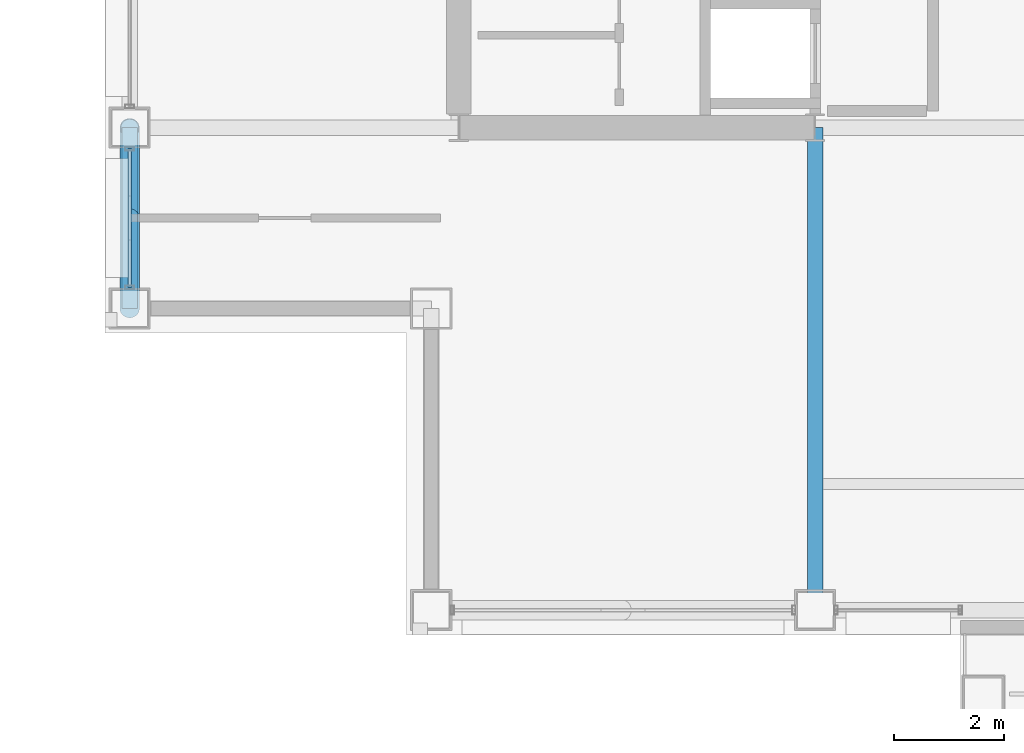
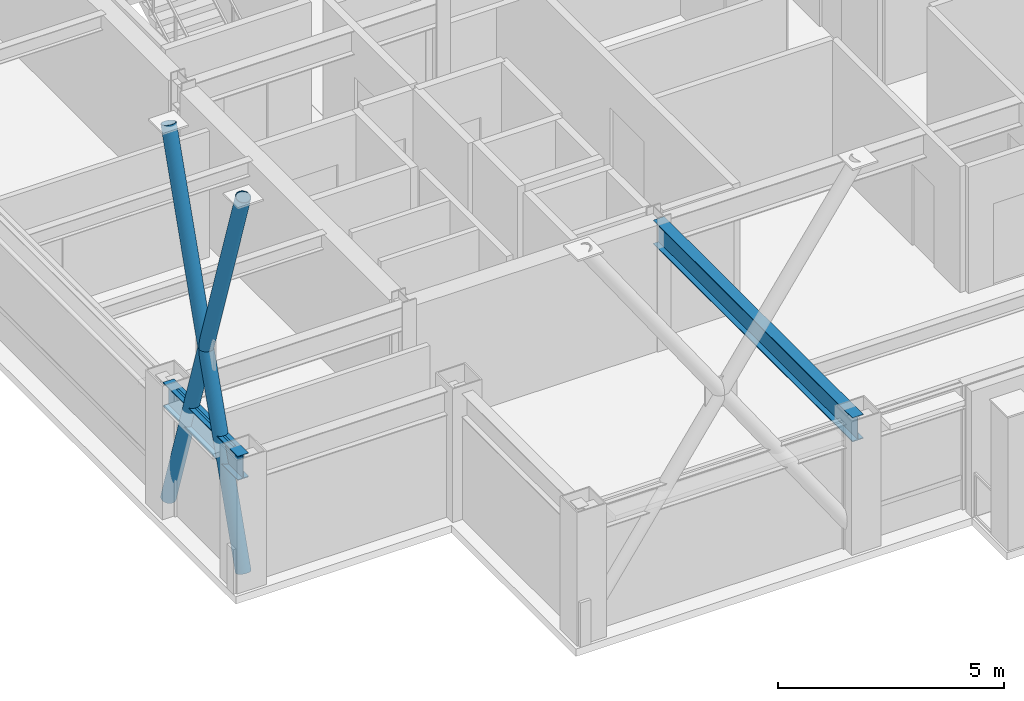
# One storey, part 4 of 30: 4 members, 2 beams, 1 element without a shape of its own.
"""IFC4 building model written with IfcOpenShell, lengths in metres."""

from ifc_helpers import new_model, si_unit, direction, frame, origin, origin_2d, place, context, subcontext, project, spatial, hollow_rectangle, hollow_circle, i_section, extrude, material, layer, layer_set, material_profile, profile_set, type_object, element, aggregate, save


model = new_model("IFC4")

# Units and contexts
model_context = context("Model", 3, precision=1e-05, world=origin(), true_north=direction((0.0, 1.0)))
body_context = subcontext(model_context, "Body", "Model", "MODEL_VIEW")
ifc_project = project(units=[si_unit("LENGTHUNIT", "METRE"), si_unit("AREAUNIT", "SQUARE_METRE"), si_unit("VOLUMEUNIT", "CUBIC_METRE"), si_unit("PLANEANGLEUNIT", "RADIAN"), si_unit("MASSUNIT", "GRAM", prefix="KILO")], contexts=[model_context])

# Site, building, storey
site_placement = place(None, origin())
site = spatial("IfcSite", under=ifc_project, at=site_placement, CompositionType="ELEMENT")
building_placement = place(site_placement, origin())
building = spatial("IfcBuilding", under=site, at=building_placement, Name="Brelmoor Portico Tower", CompositionType="ELEMENT")
storey_placement = place(building_placement, frame((0.0, 0.0, 173.10009765625)))
storey = spatial("IfcBuildingStorey", under=building, at=storey_placement, Name="L45", CompositionType="ELEMENT", Elevation=173.10009765625)

# Beams
ifc_material_1 = material(Name="Steel Q355B", Category="steel")
ifc_material_profile_1 = material_profile(ifc_material_1, i_section(OverallWidth=0.280029296875, OverallDepth=0.64990234375, WebThickness=0.012939453125, FlangeThickness=0.02197265625, at=origin_2d()), Name="HN 650x280x13x22")
ifc_profile_set_1 = profile_set([ifc_material_profile_1], Name="Steel Q355B")
beam_type_1 = type_object("IfcBeamType", Name="BM-PG-650", PredefinedType="BEAM", material=ifc_profile_set_1)
beam_1_placement = place(storey_placement, frame((-8.050048828125, -18.550048828125, 3.074951171875), z_axis=(0.0, 1.0, 0.0), x_axis=(-1.0, 0.0, 0.0)))
element("IfcBeam", 1, at=beam_1_placement, inside=storey, type_object=beam_type_1, Name="L45 Primary Floor Girder PG-03", PredefinedType="BEAM", context=body_context, shape_type="SweptSolid", body=[
    extrude(i_section(OverallWidth=0.280029296875, OverallDepth=0.64990234375, WebThickness=0.012939453125, FlangeThickness=0.02197265625, at=origin_2d()), origin(), (0.0, 0.0, 1.0), 8.800048828125),
])
ifc_material_profile_2 = material_profile(ifc_material_1, i_section(OverallWidth=0.280029296875, OverallDepth=0.64990234375, WebThickness=0.012939453125, FlangeThickness=0.02197265625, at=origin_2d()), Name="HN 650x280x13x22")
ifc_profile_set_2 = profile_set([ifc_material_profile_2], Name="Steel Q355B")
beam_type_2 = type_object("IfcBeamType", Name="BM-SP-650", PredefinedType="SPANDREL", material=ifc_profile_set_2)
beam_2_placement = place(storey_placement, frame((-20.550048828125, -13.050048828125, 3.074951171875), z_axis=(0.0, 1.0, 0.0), x_axis=(-1.0, 0.0, 0.0)))
element("IfcBeam", 2, at=beam_2_placement, inside=storey, type_object=beam_type_2, Name="L45 Perimeter Spandrel Beam SP-11", PredefinedType="SPANDREL", context=body_context, shape_type="SweptSolid", body=[
    extrude(i_section(OverallWidth=0.280029296875, OverallDepth=0.64990234375, WebThickness=0.012939453125, FlangeThickness=0.02197265625, at=origin_2d()), origin(), (0.0, 0.0, 1.0), 3.300048828125),
])

# Members
ifc_material_profile_3 = material_profile(ifc_material_1, hollow_circle(Radius=0.177978515625, WallThickness=0.01611328125, at=origin_2d()), Name="CHS 356x16")
ifc_profile_set_3 = profile_set([ifc_material_profile_3], Name="Steel Q355B")
member_type_1 = type_object("IfcMemberType", Name="MB-BELT-DIAG2", PredefinedType="BRACE", material=ifc_profile_set_3)
member_1_placement = place(storey_placement, frame((-20.550048828125, -13.050048828125, 0.25), z_axis=(0.0, 0.310583561842, 0.950546080479), x_axis=(-1.0, 0.0, 0.0)))
element("IfcMember", 3, at=member_1_placement, inside=storey, type_object=member_type_1, Name="L45 Continuous Mega-X Brace 101A", PredefinedType="BRACE", context=body_context, shape_type="SweptSolid", body=[
    extrude(hollow_circle(Radius=0.177978515625, WallThickness=0.01611328125, at=origin_2d()), origin(), (0.0, 0.0, 1.0), 10.625244140625),
])
member_2_placement = place(storey_placement, frame((-20.550048828125, -9.75, 0.25), z_axis=(0.0, -0.31056958402, 0.95055064751), x_axis=(1.0, 0.0, 0.0)))
element("IfcMember", 4, at=member_2_placement, inside=storey, type_object=member_type_1, Name="L45 Split Mega-X Brace 101B1", PredefinedType="BRACE", context=body_context, shape_type="SweptSolid", body=[
    extrude(hollow_circle(Radius=0.177978515625, WallThickness=0.01611328125, at=origin_2d()), origin(), (0.0, 0.0, 1.0), 5.3125),
])
member_3_placement = place(storey_placement, frame((-20.550048828125, -11.39990234375, 5.2998046875), z_axis=(0.0, -0.310597538786, 0.950541513507), x_axis=(1.0, 0.0, 0.0)))
element("IfcMember", 5, at=member_3_placement, inside=storey, type_object=member_type_1, Name="L45 Split Mega-X Brace 101B2", PredefinedType="BRACE", context=body_context, shape_type="SweptSolid", body=[
    extrude(hollow_circle(Radius=0.177978515625, WallThickness=0.01611328125, at=origin_2d()), origin(), (0.0, 0.0, 1.0), 5.312744140625),
])

# Curtain wall, member
ifc_material_2 = material(Name="Anodised Aluminium Alloy 6063-T6", Category="aluminium")
ifc_layer = layer(ifc_material_2, 0.179931640625)
ifc_layer_set = layer_set([ifc_layer], Name="Anodised Aluminium Alloy 6063-T6")
curtain_wall_type = type_object("IfcCurtainWallType", Name="CW-TOWER-Z3-XB", PredefinedType="NOTDEFINED", material=ifc_layer_set)
curtain_wall_placement = place(storey_placement, origin())
curtain_wall = element("IfcCurtainWall", 6, at=curtain_wall_placement, inside=storey, type_object=curtain_wall_type, Name="L45 Curtain Wall CW-L45-3L-1", PredefinedType="NOTDEFINED")
ifc_material_profile_4 = material_profile(ifc_material_2, hollow_rectangle(XDim=0.06005859375, YDim=0.125, WallThickness=0.00341796875, at=origin_2d()), Name="ALU TRANSOM 60x125")
ifc_profile_set_4 = profile_set([ifc_material_profile_4], Name="Anodised Aluminium Alloy 6063-T6")
member_type_2 = type_object("IfcMemberType", Name="MB-CW-TRAN-125", PredefinedType="USERDEFINED", material=ifc_profile_set_4)
member_4_placement = place(storey_placement, frame((-20.550048828125, -12.6650390625, 3.33740234375), z_axis=(0.0, 1.0, 0.0), x_axis=(-1.0, 0.0, 0.0)))
member_4 = element("IfcMember", 7, at=member_4_placement, type_object=member_type_2, Name="CW-L45-3L-1 Transom 1-00", ObjectType="TRANSOM", PredefinedType="USERDEFINED", context=body_context, shape_type="SweptSolid", body=[
    extrude(hollow_rectangle(XDim=0.06005859375, YDim=0.125, WallThickness=0.00341796875, at=origin_2d()), origin(), (0.0, 0.0, 1.0), 2.530029296875),
])
aggregate(curtain_wall, [member_4])

save(model, "model.ifc")
